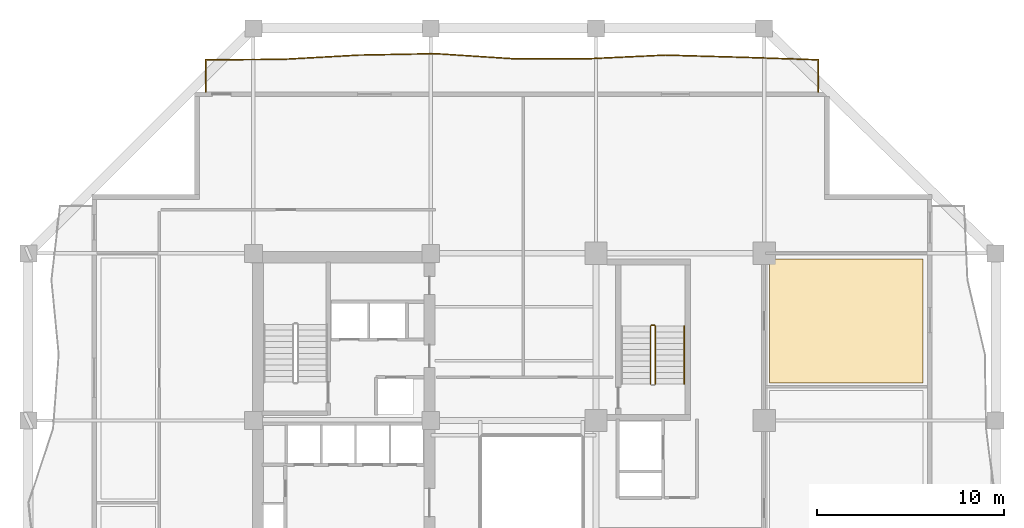
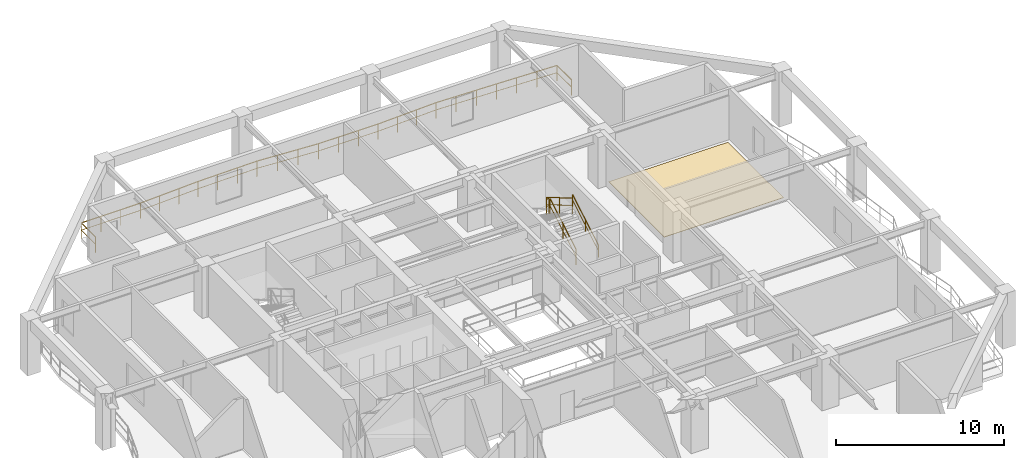
# One storey, part 11 of 12: 5 railings, 1 covering.
"""IFC4 building model written with IfcOpenShell, lengths in metres."""

from ifc_helpers import new_model, si_unit, direction, frame, origin, origin_2d, place, context, subcontext, project, spatial, polyline, rectangle, outline, extrude, material, layer, layer_set, type_object, element, save


model = new_model("IFC4")

# Units and contexts
model_context = context("Model", 3, precision=1e-05, world=origin(), true_north=direction((0.0, 1.0)))
body_context = subcontext(model_context, "Body", "Model", "MODEL_VIEW")
ifc_project = project(units=[si_unit("LENGTHUNIT", "METRE"), si_unit("AREAUNIT", "SQUARE_METRE"), si_unit("VOLUMEUNIT", "CUBIC_METRE"), si_unit("PLANEANGLEUNIT", "RADIAN"), si_unit("MASSUNIT", "GRAM", prefix="KILO")], contexts=[model_context])

# Site, building, storey
site_placement = place(None, origin())
site = spatial("IfcSite", under=ifc_project, at=site_placement, CompositionType="ELEMENT")
building_placement = place(site_placement, origin())
building = spatial("IfcBuilding", under=site, at=building_placement, Name="Kundavana Baori Tower", CompositionType="ELEMENT")
storey_placement = place(building_placement, frame((0.0, 0.0, 42.0)))
storey = spatial("IfcBuildingStorey", under=building, at=storey_placement, Name="L09", CompositionType="ELEMENT", Elevation=42.0)

# Covering
ifc_material_1 = material(Name="Honed Kota Stone and Terrazzo Flooring", Category="masonry")
ifc_layer = layer(ifc_material_1, 0.030029296875, Name="COV-INT-FLR")
ifc_layer_set = layer_set([ifc_layer], Name="Honed Kota Stone and Terrazzo Flooring")
covering_type = type_object("IfcCoveringType", Name="COV-INT-FLR", PredefinedType="FLOORING", material=ifc_layer_set)
covering_placement = place(storey_placement, origin())
element("IfcCovering", 1, at=covering_placement, inside=storey, type_object=covering_type, Name="L09 Room Finished Stone Flooring 7", PredefinedType="FLOORING", context=body_context, shape_type="SweptSolid", body=[
    extrude(outline(polyline([(43.10009765625, 35.0), (51.320068359375, 35.0), (51.320068359375, 41.64990234375), (43.10009765625, 41.64990234375), (43.10009765625, 35.0)])), origin(), (0.0, 0.0, 1.0), 0.030029296875),
])

# Railings
ifc_material_2 = material(Name="Architectural Patinated Bronze Metalwork")
railing_type_1 = type_object("IfcRailingType", Name="RL-BAL-1150", PredefinedType="BALUSTRADE", material=ifc_material_2)
railing_1_placement = place(storey_placement, frame((12.89990234375, 50.60009765625, 0.0)))
element("IfcRailing", 2, at=railing_1_placement, inside=storey, type_object=railing_type_1, Name="L09 Loggia Balcony Balustrade N", PredefinedType="BALUSTRADE", context=body_context, shape_type="SweptSolid", body=[
    extrude(rectangle(XDim=0.048095703125, YDim=0.048095703125, at=origin_2d()), frame((0.0, 0.0, 1.1259765625), z_axis=(0.0, 1.0, 0.0), x_axis=(-1.0, 0.0, 0.0)), (0.0, 0.0, 1.0), 1.719970703125),
    extrude(rectangle(XDim=0.03125, YDim=0.03125, at=origin_2d()), frame((0.0, 0.0, 0.597900390625), z_axis=(0.0, 1.0, 0.0), x_axis=(-1.0, 0.0, 0.0)), (0.0, 0.0, 1.0), 1.719970703125),
    extrude(rectangle(XDim=0.048095703125, YDim=0.048095703125, at=origin_2d()), frame((0.0, 1.719970703125, 1.1259765625), z_axis=(0.999982974387, 0.005835318059, 0.0), x_axis=(-0.005835318059, 0.999982974387, 0.0)), (0.0, 0.0, 1.0), 4.10009765625),
    extrude(rectangle(XDim=0.03125, YDim=0.03125, at=origin_2d()), frame((0.0, 1.719970703125, 0.597900390625), z_axis=(0.999982974387, 0.005835318059, 0.0), x_axis=(-0.005835318059, 0.999982974387, 0.0)), (0.0, 0.0, 1.0), 4.10009765625),
    extrude(rectangle(XDim=0.048095703125, YDim=0.048095703125, at=origin_2d()), frame((4.10009765625, 1.743896484375, 1.1259765625), z_axis=(0.998443845481, 0.055766364598, 0.0), x_axis=(-0.055766364598, 0.998443845481, 0.0)), (0.0, 0.0, 1.0), 4.1064453125),
    extrude(rectangle(XDim=0.03125, YDim=0.03125, at=origin_2d()), frame((4.10009765625, 1.743896484375, 0.597900390625), z_axis=(0.998443845481, 0.055766364598, 0.0), x_axis=(-0.055766364598, 0.998443845481, 0.0)), (0.0, 0.0, 1.0), 4.1064453125),
    extrude(rectangle(XDim=0.048095703125, YDim=0.048095703125, at=origin_2d()), frame((8.2001953125, 1.972900390625, 1.1259765625), z_axis=(0.999819624612, 0.01899258383, 0.0), x_axis=(-0.01899258383, 0.999819624612, 0.0)), (0.0, 0.0, 1.0), 4.1005859375),
    extrude(rectangle(XDim=0.03125, YDim=0.03125, at=origin_2d()), frame((8.2001953125, 1.972900390625, 0.597900390625), z_axis=(0.999819624612, 0.01899258383, 0.0), x_axis=(-0.01899258383, 0.999819624612, 0.0)), (0.0, 0.0, 1.0), 4.1005859375),
    extrude(rectangle(XDim=0.048095703125, YDim=0.048095703125, at=origin_2d()), frame((12.300048828125, 2.05078125, 1.1259765625), z_axis=(0.997857902932, -0.065418694244, 0.0), x_axis=(0.065418694244, 0.997857902932, 0.0)), (0.0, 0.0, 1.0), 4.10888671875),
    extrude(rectangle(XDim=0.03125, YDim=0.03125, at=origin_2d()), frame((12.300048828125, 2.05078125, 0.597900390625), z_axis=(0.997857902932, -0.065418694244, 0.0), x_axis=(0.065418694244, 0.997857902932, 0.0)), (0.0, 0.0, 1.0), 4.10888671875),
    extrude(rectangle(XDim=0.048095703125, YDim=0.048095703125, at=origin_2d()), frame((16.400146484375, 1.781982421875, 1.1259765625), z_axis=(0.999999218099, -0.001250520073, 0.0), x_axis=(0.001250520073, 0.999999218099, 0.0)), (0.0, 0.0, 1.0), 4.099853515625),
    extrude(rectangle(XDim=0.03125, YDim=0.03125, at=origin_2d()), frame((16.400146484375, 1.781982421875, 0.597900390625), z_axis=(0.999999218099, -0.001250520073, 0.0), x_axis=(0.001250520073, 0.999999218099, 0.0)), (0.0, 0.0, 1.0), 4.099853515625),
    extrude(rectangle(XDim=0.048095703125, YDim=0.048095703125, at=origin_2d()), frame((20.5, 1.77685546875, 1.1259765625), z_axis=(0.998858833803, 0.04776013121, 0.0), x_axis=(-0.04776013121, 0.998858833803, 0.0)), (0.0, 0.0, 1.0), 4.104736328125),
    extrude(rectangle(XDim=0.03125, YDim=0.03125, at=origin_2d()), frame((20.5, 1.77685546875, 0.597900390625), z_axis=(0.998858833803, 0.04776013121, 0.0), x_axis=(-0.04776013121, 0.998858833803, 0.0)), (0.0, 0.0, 1.0), 4.104736328125),
    extrude(rectangle(XDim=0.048095703125, YDim=0.048095703125, at=origin_2d()), frame((24.60009765625, 1.972900390625, 1.1259765625), z_axis=(0.999600250019, -0.028272604428, 0.0), x_axis=(0.028272604428, 0.999600250019, 0.0)), (0.0, 0.0, 1.0), 4.101806640625),
    extrude(rectangle(XDim=0.03125, YDim=0.03125, at=origin_2d()), frame((24.60009765625, 1.972900390625, 0.597900390625), z_axis=(0.999600250019, -0.028272604428, 0.0), x_axis=(0.028272604428, 0.999600250019, 0.0)), (0.0, 0.0, 1.0), 4.101806640625),
    extrude(rectangle(XDim=0.048095703125, YDim=0.048095703125, at=origin_2d()), frame((28.7001953125, 1.85693359375, 1.1259765625), z_axis=(0.99944246026, -0.033388151028, 0.0), x_axis=(0.033388151028, 0.99944246026, 0.0)), (0.0, 0.0, 1.0), 4.10205078125),
    extrude(rectangle(XDim=0.03125, YDim=0.03125, at=origin_2d()), frame((28.7001953125, 1.85693359375, 0.597900390625), z_axis=(0.99944246026, -0.033388151028, 0.0), x_axis=(0.033388151028, 0.99944246026, 0.0)), (0.0, 0.0, 1.0), 4.10205078125),
    extrude(rectangle(XDim=0.048095703125, YDim=0.048095703125, at=origin_2d()), frame((32.800048828125, 1.719970703125, 1.1259765625), z_axis=(0.0, -1.0, 0.0), x_axis=(1.0, 0.0, 0.0)), (0.0, 0.0, 1.0), 1.719970703125),
    extrude(rectangle(XDim=0.03125, YDim=0.03125, at=origin_2d()), frame((32.800048828125, 1.719970703125, 0.597900390625), z_axis=(0.0, -1.0, 0.0), x_axis=(1.0, 0.0, 0.0)), (0.0, 0.0, 1.0), 1.719970703125),
    extrude(rectangle(XDim=0.0419921875, YDim=0.0419921875, at=origin_2d()), origin(), (0.0, 0.0, 1.0), 1.101806640625),
    extrude(rectangle(XDim=0.0419921875, YDim=0.0419921875, at=origin_2d()), frame((0.0, 1.719970703125, 0.0)), (0.0, 0.0, 1.0), 1.101806640625),
    extrude(rectangle(XDim=0.0419921875, YDim=0.0419921875, at=origin_2d()), frame((1.36669921875, 1.72802734375, 0.0)), (0.0, 0.0, 1.0), 1.101806640625),
    extrude(rectangle(XDim=0.0419921875, YDim=0.0419921875, at=origin_2d()), frame((2.7333984375, 1.73583984375, 0.0)), (0.0, 0.0, 1.0), 1.101806640625),
    extrude(rectangle(XDim=0.0419921875, YDim=0.0419921875, at=origin_2d()), frame((4.10009765625, 1.743896484375, 0.0)), (0.0, 0.0, 1.0), 1.101806640625),
    extrude(rectangle(XDim=0.0419921875, YDim=0.0419921875, at=origin_2d()), frame((5.466796875, 1.8203125, 0.0)), (0.0, 0.0, 1.0), 1.101806640625),
    extrude(rectangle(XDim=0.0419921875, YDim=0.0419921875, at=origin_2d()), frame((6.83349609375, 1.896484375, 0.0)), (0.0, 0.0, 1.0), 1.101806640625),
    extrude(rectangle(XDim=0.0419921875, YDim=0.0419921875, at=origin_2d()), frame((8.2001953125, 1.972900390625, 0.0)), (0.0, 0.0, 1.0), 1.101806640625),
    extrude(rectangle(XDim=0.0419921875, YDim=0.0419921875, at=origin_2d()), frame((9.56689453125, 1.998779296875, 0.0)), (0.0, 0.0, 1.0), 1.101806640625),
    extrude(rectangle(XDim=0.0419921875, YDim=0.0419921875, at=origin_2d()), frame((10.933349609375, 2.02490234375, 0.0)), (0.0, 0.0, 1.0), 1.101806640625),
    extrude(rectangle(XDim=0.0419921875, YDim=0.0419921875, at=origin_2d()), frame((12.300048828125, 2.05078125, 0.0)), (0.0, 0.0, 1.0), 1.101806640625),
    extrude(rectangle(XDim=0.0419921875, YDim=0.0419921875, at=origin_2d()), frame((13.666748046875, 1.961181640625, 0.0)), (0.0, 0.0, 1.0), 1.101806640625),
    extrude(rectangle(XDim=0.0419921875, YDim=0.0419921875, at=origin_2d()), frame((15.033447265625, 1.87158203125, 0.0)), (0.0, 0.0, 1.0), 1.101806640625),
    extrude(rectangle(XDim=0.0419921875, YDim=0.0419921875, at=origin_2d()), frame((16.400146484375, 1.781982421875, 0.0)), (0.0, 0.0, 1.0), 1.101806640625),
    extrude(rectangle(XDim=0.0419921875, YDim=0.0419921875, at=origin_2d()), frame((17.766845703125, 1.7802734375, 0.0)), (0.0, 0.0, 1.0), 1.101806640625),
    extrude(rectangle(XDim=0.0419921875, YDim=0.0419921875, at=origin_2d()), frame((19.13330078125, 1.778564453125, 0.0)), (0.0, 0.0, 1.0), 1.101806640625),
    extrude(rectangle(XDim=0.0419921875, YDim=0.0419921875, at=origin_2d()), frame((20.5, 1.77685546875, 0.0)), (0.0, 0.0, 1.0), 1.101806640625),
    extrude(rectangle(XDim=0.0419921875, YDim=0.0419921875, at=origin_2d()), frame((21.86669921875, 1.84228515625, 0.0)), (0.0, 0.0, 1.0), 1.101806640625),
    extrude(rectangle(XDim=0.0419921875, YDim=0.0419921875, at=origin_2d()), frame((23.2333984375, 1.907470703125, 0.0)), (0.0, 0.0, 1.0), 1.101806640625),
    extrude(rectangle(XDim=0.0419921875, YDim=0.0419921875, at=origin_2d()), frame((24.60009765625, 1.972900390625, 0.0)), (0.0, 0.0, 1.0), 1.101806640625),
    extrude(rectangle(XDim=0.0419921875, YDim=0.0419921875, at=origin_2d()), frame((25.966796875, 1.934326171875, 0.0)), (0.0, 0.0, 1.0), 1.101806640625),
    extrude(rectangle(XDim=0.0419921875, YDim=0.0419921875, at=origin_2d()), frame((27.33349609375, 1.8955078125, 0.0)), (0.0, 0.0, 1.0), 1.101806640625),
    extrude(rectangle(XDim=0.0419921875, YDim=0.0419921875, at=origin_2d()), frame((28.7001953125, 1.85693359375, 0.0)), (0.0, 0.0, 1.0), 1.101806640625),
    extrude(rectangle(XDim=0.0419921875, YDim=0.0419921875, at=origin_2d()), frame((30.06689453125, 1.811279296875, 0.0)), (0.0, 0.0, 1.0), 1.101806640625),
    extrude(rectangle(XDim=0.0419921875, YDim=0.0419921875, at=origin_2d()), frame((31.433349609375, 1.765625, 0.0)), (0.0, 0.0, 1.0), 1.101806640625),
    extrude(rectangle(XDim=0.0419921875, YDim=0.0419921875, at=origin_2d()), frame((32.800048828125, 1.719970703125, 0.0)), (0.0, 0.0, 1.0), 1.101806640625),
    extrude(rectangle(XDim=0.0419921875, YDim=0.0419921875, at=origin_2d()), frame((32.800048828125, 0.0, 0.0)), (0.0, 0.0, 1.0), 1.101806640625),
])
ifc_material_3 = material(Name="Architectural Patinated Bronze Metalwork")
railing_type_2 = type_object("IfcRailingType", Name="RL-GRD-1150", PredefinedType="GUARDRAIL", material=ifc_material_3)
railing_2_placement = place(storey_placement, frame((36.97998046875, 34.949951171875, 0.181884765625)))
element("IfcRailing", 3, at=railing_2_placement, inside=storey, type_object=railing_type_2, Name="L09 ST3 stair guard 1", PredefinedType="GUARDRAIL", context=body_context, shape_type="SweptSolid", body=[
    extrude(rectangle(XDim=0.048095703125, YDim=0.048095703125, at=origin_2d()), frame((0.0, 0.0, 1.1259765625), z_axis=(0.0, 0.862598821094, 0.505888598258), x_axis=(-1.0, 0.0, 0.0)), (0.0, 0.0, 1.0), 3.593994140625),
    extrude(rectangle(XDim=0.03125, YDim=0.03125, at=origin_2d()), frame((0.0, 0.0, 0.597900390625), z_axis=(0.0, 0.862598821094, 0.505888598258), x_axis=(-1.0, 0.0, 0.0)), (0.0, 0.0, 1.0), 3.593994140625),
    extrude(rectangle(XDim=0.0419921875, YDim=0.0419921875, at=origin_2d()), origin(), (0.0, 0.0, 1.0), 1.101806640625),
    extrude(rectangle(XDim=0.0419921875, YDim=0.0419921875, at=origin_2d()), frame((0.0, 1.550048828125, 0.9091796875)), (0.0, 0.0, 1.0), 1.101806640625),
    extrude(rectangle(XDim=0.0419921875, YDim=0.0419921875, at=origin_2d()), frame((0.0, 3.10009765625, 1.818115234375)), (0.0, 0.0, 1.0), 1.101806640625),
])
railing_3_placement = place(storey_placement, frame((36.929931640625, 38.10009765625, 2.0)))
element("IfcRailing", 4, at=railing_3_placement, inside=storey, type_object=railing_type_2, Name="L09 ST3 stair guard 2", PredefinedType="GUARDRAIL", context=body_context, shape_type="SweptSolid", body=[
    extrude(rectangle(XDim=0.048095703125, YDim=0.048095703125, at=origin_2d()), frame((0.0, 0.0, 1.1259765625), z_axis=(-1.0, 0.0, 0.0), x_axis=(0.0, -1.0, 0.0)), (0.0, 0.0, 1.0), 0.159912109375),
    extrude(rectangle(XDim=0.03125, YDim=0.03125, at=origin_2d()), frame((0.0, 0.0, 0.597900390625), z_axis=(-1.0, 0.0, 0.0), x_axis=(0.0, -1.0, 0.0)), (0.0, 0.0, 1.0), 0.159912109375),
    extrude(rectangle(XDim=0.0419921875, YDim=0.0419921875, at=origin_2d()), origin(), (0.0, 0.0, 1.0), 1.101806640625),
    extrude(rectangle(XDim=0.0419921875, YDim=0.0419921875, at=origin_2d()), frame((-0.159912109375, 0.0, 0.0)), (0.0, 0.0, 1.0), 1.101806640625),
])
railing_4_placement = place(storey_placement, frame((36.719970703125, 38.050048828125, 2.181884765625)))
element("IfcRailing", 5, at=railing_4_placement, inside=storey, type_object=railing_type_2, Name="L09 ST3 stair guard 3", PredefinedType="GUARDRAIL", context=body_context, shape_type="SweptSolid", body=[
    extrude(rectangle(XDim=0.048095703125, YDim=0.048095703125, at=origin_2d()), frame((0.0, 0.0, 1.1259765625), z_axis=(0.0, -0.862598821094, 0.505888598258), x_axis=(1.0, 0.0, 0.0)), (0.0, 0.0, 1.0), 3.593994140625),
    extrude(rectangle(XDim=0.03125, YDim=0.03125, at=origin_2d()), frame((0.0, 0.0, 0.597900390625), z_axis=(0.0, -0.862598821094, 0.505888598258), x_axis=(1.0, 0.0, 0.0)), (0.0, 0.0, 1.0), 3.593994140625),
    extrude(rectangle(XDim=0.0419921875, YDim=0.0419921875, at=origin_2d()), origin(), (0.0, 0.0, 1.0), 1.101806640625),
    extrude(rectangle(XDim=0.0419921875, YDim=0.0419921875, at=origin_2d()), frame((0.0, -1.550048828125, 0.9091796875)), (0.0, 0.0, 1.0), 1.101806640625),
    extrude(rectangle(XDim=0.0419921875, YDim=0.0419921875, at=origin_2d()), frame((0.0, -3.10009765625, 1.818115234375)), (0.0, 0.0, 1.0), 1.101806640625),
])
ifc_material_4 = material(Name="Architectural Patinated Bronze Metalwork")
railing_type_3 = type_object("IfcRailingType", Name="RL-HND-920", PredefinedType="HANDRAIL", material=ifc_material_4)
railing_5_placement = place(storey_placement, frame((38.530029296875, 34.949951171875, 0.181884765625)))
element("IfcRailing", 6, at=railing_5_placement, inside=storey, type_object=railing_type_3, Name="L09 ST3 stair handrail 1", PredefinedType="HANDRAIL", context=body_context, shape_type="SweptSolid", body=[
    extrude(rectangle(XDim=0.048095703125, YDim=0.048095703125, at=origin_2d()), frame((0.0, 0.0, 0.8759765625), z_axis=(0.0, 0.862598821094, 0.505888598258), x_axis=(-1.0, 0.0, 0.0)), (0.0, 0.0, 1.0), 3.593994140625),
    extrude(rectangle(XDim=0.03125, YDim=0.03125, at=origin_2d()), frame((0.0, 0.0, 0.468017578125), z_axis=(0.0, 0.862598821094, 0.505888598258), x_axis=(-1.0, 0.0, 0.0)), (0.0, 0.0, 1.0), 3.593994140625),
    extrude(rectangle(XDim=0.0419921875, YDim=0.0419921875, at=origin_2d()), origin(), (0.0, 0.0, 1.0), 0.851806640625),
    extrude(rectangle(XDim=0.0419921875, YDim=0.0419921875, at=origin_2d()), frame((0.0, 1.550048828125, 0.9091796875)), (0.0, 0.0, 1.0), 0.851806640625),
    extrude(rectangle(XDim=0.0419921875, YDim=0.0419921875, at=origin_2d()), frame((0.0, 3.10009765625, 1.818115234375)), (0.0, 0.0, 1.0), 0.851806640625),
])

save(model, "model.ifc")
